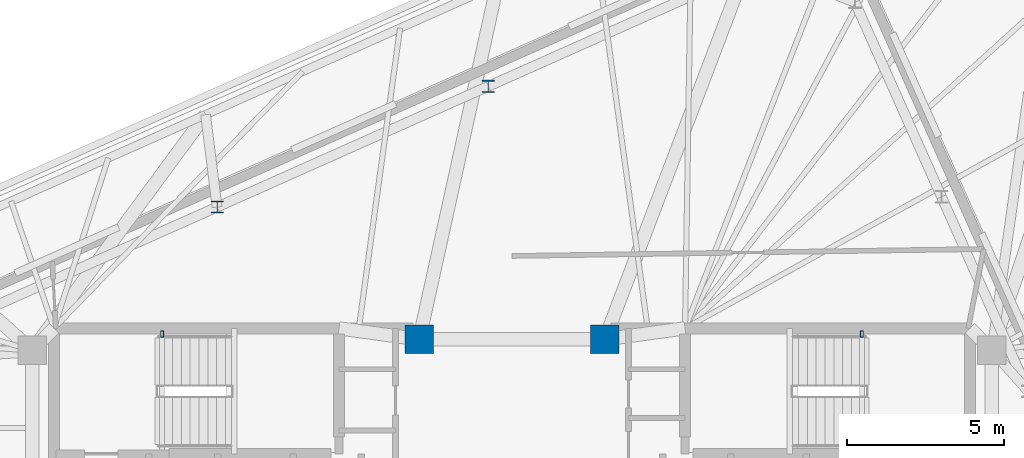
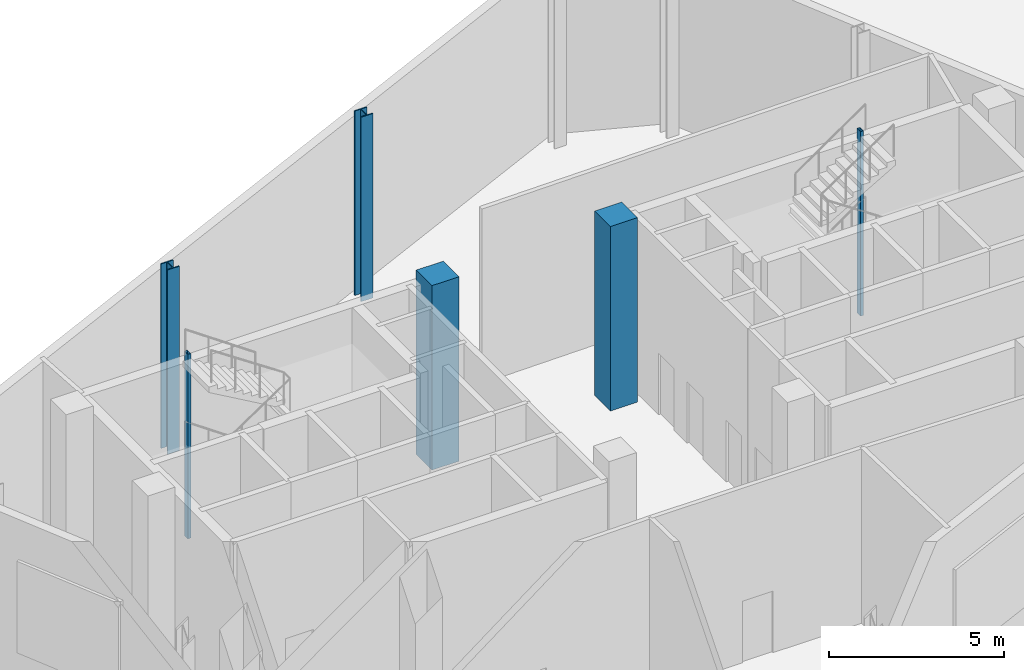
# One storey, part 2 of 10: 6 columns.
"""IFC4 building model written with IfcOpenShell, lengths in metres."""

from ifc_helpers import new_model, si_unit, direction, frame, origin, origin_2d, place, context, subcontext, project, spatial, rectangle, hollow_rectangle, i_section, extrude, material, material_profile, profile_set, type_object, element, save


model = new_model("IFC4")

# Units and contexts
model_context = context("Model", 3, precision=1e-05, world=origin(), true_north=direction((0.0, 1.0)))
body_context = subcontext(model_context, "Body", "Model", "MODEL_VIEW")
ifc_project = project(units=[si_unit("LENGTHUNIT", "METRE"), si_unit("AREAUNIT", "SQUARE_METRE"), si_unit("VOLUMEUNIT", "CUBIC_METRE"), si_unit("PLANEANGLEUNIT", "RADIAN"), si_unit("MASSUNIT", "GRAM", prefix="KILO")], contexts=[model_context])

# Site, building, storey
site_placement = place(None, origin())
site = spatial("IfcSite", under=ifc_project, at=site_placement, CompositionType="ELEMENT")
building_placement = place(site_placement, origin())
building = spatial("IfcBuilding", under=site, at=building_placement, Name="Menara Jurai Vektor", CompositionType="ELEMENT")
storey_placement = place(building_placement, frame((0.0, 0.0, 305.550048828125)))
storey = spatial("IfcBuildingStorey", under=building, at=storey_placement, Name="L82", CompositionType="ELEMENT", Elevation=305.550048828125)

# Columns
ifc_material_1 = material(Name="Steel S460", Category="steel")
ifc_material_profile_1 = material_profile(ifc_material_1, i_section(OverallWidth=0.39892578125, OverallDepth=0.39404296875, WebThickness=0.02294921875, FlangeThickness=0.037109375, FilletRadius=0.014892578125, at=origin_2d()), Name="UKC 356x406x287")
ifc_profile_set_1 = profile_set([ifc_material_profile_1], Name="Steel S460")
column_type_1 = type_object("IfcColumnType", Name="STR-COL-DRUM", PredefinedType="COLUMN", material=ifc_profile_set_1)
for number, where, z_axis, x_axis, name in (
    (1, (-0.7548828125, 13.2919921875, 0.0), (0.0, 0.0, 1.0), (1.0, 0.0, 0.0), "Crown Plant Drum Column DC-10"),
    (2, (-9.372802734375, 9.455078125, 0.0), (0.0, 0.0, 1.0), (1.0, 0.0, 0.0), "Crown Plant Drum Column DC-11"),
):
    element("IfcColumn", number, at=place(storey_placement, frame(where, z_axis=z_axis, x_axis=x_axis)), inside=storey, type_object=column_type_1, Name=name, PredefinedType="COLUMN", context=body_context, shape_type="SweptSolid", body=[
        extrude(i_section(OverallWidth=0.39892578125, OverallDepth=0.39404296875, WebThickness=0.02294921875, FlangeThickness=0.037109375, FilletRadius=0.014892578125, at=origin_2d()), origin(), (0.0, 0.0, 1.0), 6.449951171875),
    ])
ifc_material_2 = material(Name="Concrete C50/60", Category="concrete")
ifc_material_profile_2 = material_profile(ifc_material_2, rectangle(XDim=0.89990234375, YDim=0.89990234375, at=origin_2d()), Name="RC 900x900")
ifc_profile_set_2 = profile_set([ifc_material_profile_2], Name="Concrete C50/60")
column_type_2 = type_object("IfcColumnType", Name="STR-COL-RC900", PredefinedType="COLUMN", material=ifc_profile_set_2)
for number, where, z_axis, x_axis, name in (
    (3, (-2.949951171875, 5.25, 0.0), (0.0, 0.0, 1.0), (1.0, 0.0, 0.0), "Core Spine Column CW-NE L82"),
    (4, (2.949951171875, 5.25, 0.0), (0.0, 0.0, 1.0), (1.0, 0.0, 0.0), "Core Spine Column CE-NW L82"),
):
    element("IfcColumn", number, at=place(storey_placement, frame(where, z_axis=z_axis, x_axis=x_axis)), inside=storey, type_object=column_type_2, Name=name, PredefinedType="COLUMN", context=body_context, shape_type="SweptSolid", body=[
        extrude(rectangle(XDim=0.89990234375, YDim=0.89990234375, at=origin_2d()), origin(), (0.0, 0.0, 1.0), 6.449951171875),
    ])
ifc_material_3 = material(Name="Steel S355", Category="steel")
ifc_material_profile_3 = material_profile(ifc_material_3, hollow_rectangle(XDim=0.10009765625, YDim=0.199951171875, WallThickness=0.008056640625, at=origin_2d()), Name="RHS 200x100x8")
ifc_profile_set_3 = profile_set([ifc_material_profile_3], Name="Steel S355")
column_type_3 = type_object("IfcColumnType", Name="STR-COL-STAIR", PredefinedType="COLUMN", material=ifc_profile_set_3)
for number, where, z_axis, x_axis, name in (
    (5, (-11.1201171875, 5.419921875, 0.0), (0.0, 0.0, 1.0), (1.0, 0.0, 0.0), "Stair Well Header Column ST1-P2 L82"),
    (6, (11.1201171875, 5.419921875, 0.0), (0.0, 0.0, 1.0), (1.0, 0.0, 0.0), "Stair Well Header Column ST2-P2 L82"),
):
    element("IfcColumn", number, at=place(storey_placement, frame(where, z_axis=z_axis, x_axis=x_axis)), inside=storey, type_object=column_type_3, Name=name, PredefinedType="COLUMN", context=body_context, shape_type="SweptSolid", body=[
        extrude(hollow_rectangle(XDim=0.10009765625, YDim=0.199951171875, WallThickness=0.008056640625, at=origin_2d()), origin(), (0.0, 0.0, 1.0), 6.449951171875),
    ])

save(model, "model.ifc")
